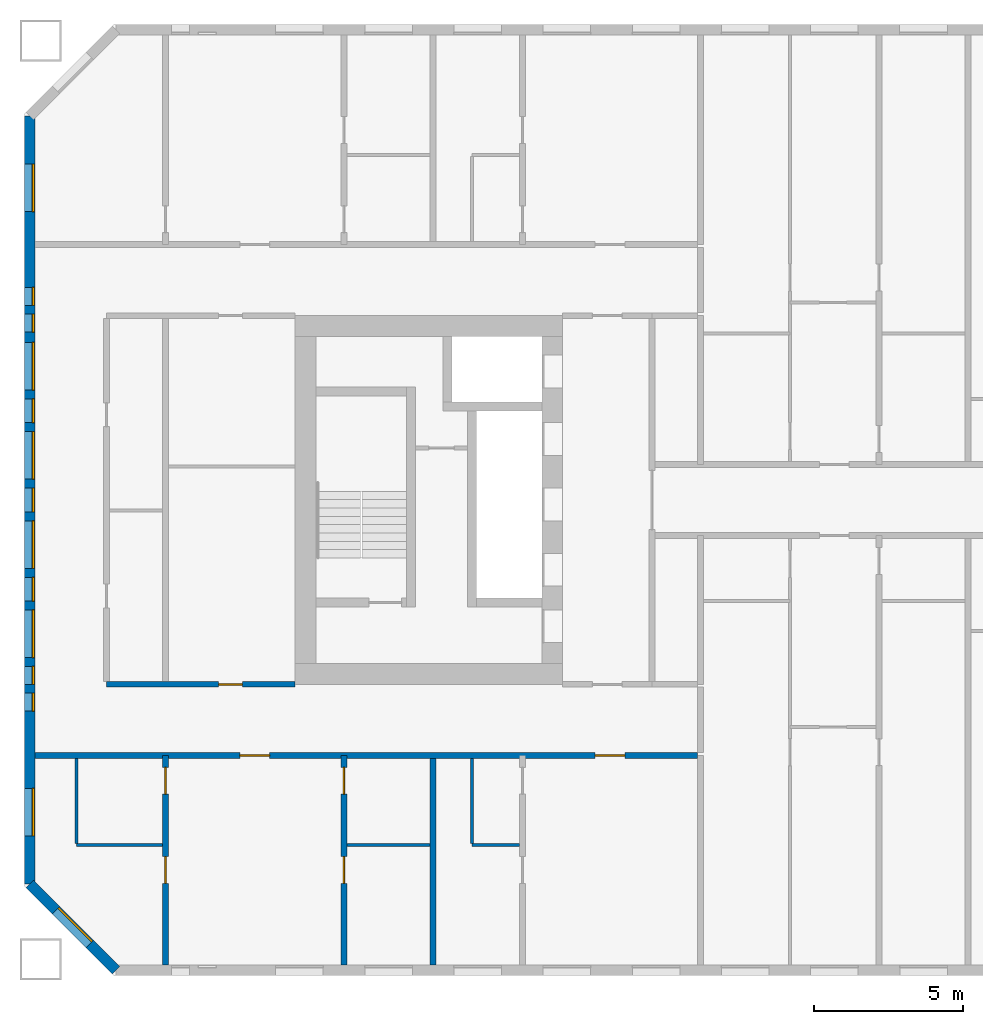
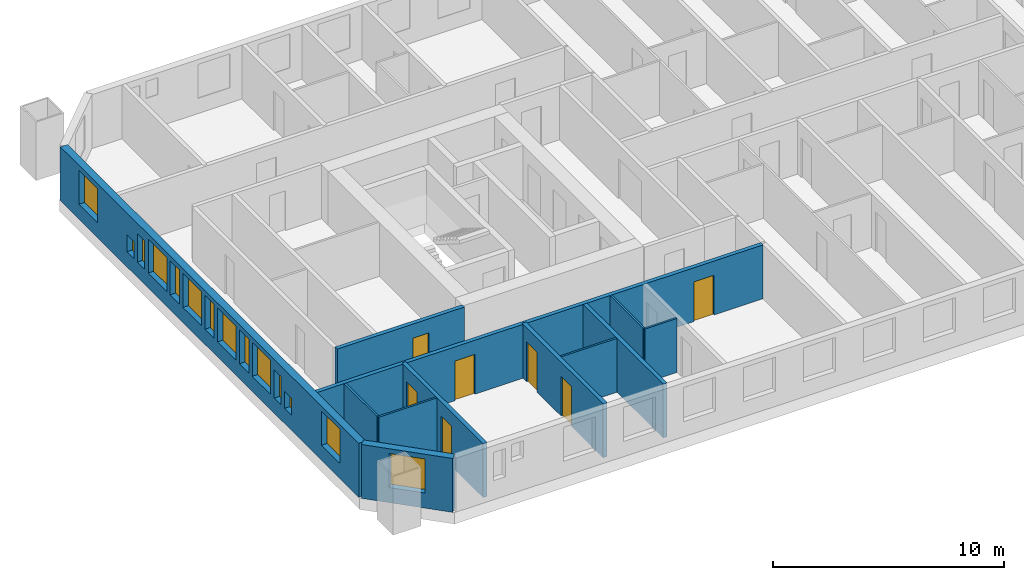
# One storey, part 2 of 17: 14 windows, 12 walls, 7 doors, 21 openings.
"""IFC4 building model written with IfcOpenShell, lengths in metres."""

from ifc_helpers import new_model, si_unit, direction, frame, frame_2d, origin, place, context, subcontext, project, spatial, rectangle, extrude, material, layer, layer_set, type_object, element, fill, save


model = new_model("IFC4")

# Units and contexts
model_context = context("Model", 3, precision=1e-05, world=origin(), true_north=direction((0.0, 1.0)))
body_context = subcontext(model_context, "Body", "Model", "MODEL_VIEW")
ifc_project = project(units=[si_unit("LENGTHUNIT", "METRE"), si_unit("AREAUNIT", "SQUARE_METRE"), si_unit("VOLUMEUNIT", "CUBIC_METRE"), si_unit("PLANEANGLEUNIT", "RADIAN"), si_unit("MASSUNIT", "GRAM", prefix="KILO")], contexts=[model_context])

# Site, building, storey
site_placement = place(None, origin())
site = spatial("IfcSite", under=ifc_project, at=site_placement, CompositionType="ELEMENT")
building_placement = place(site_placement, origin())
building = spatial("IfcBuilding", under=site, at=building_placement, Name="Tuart Gate Housing", CompositionType="ELEMENT")
storey_placement = place(building_placement, frame((0.0, 0.0, 71.60009765625)))
storey = spatial("IfcBuildingStorey", under=building, at=storey_placement, Name="L19", CompositionType="ELEMENT", Elevation=71.60009765625)

# Wall, opening, window
ifc_material_1 = material(Name="Brick", Category="masonry")
ifc_layer_1 = layer(ifc_material_1, 0.360107421875)
ifc_layer_set_1 = layer_set([ifc_layer_1], Name="Brick pier and spandrel wall 360")
wall_type_1 = type_object("IfcWallType", Name="Brick pier and spandrel wall 360", PredefinedType="STANDARD", material=ifc_layer_set_1)
wall_1_placement = place(storey_placement, frame((23.429931640625, 57.07470703125, 0.0), z_axis=(0.0, 0.0, 1.0), x_axis=(0.707106781187, -0.707106781187, 0.0)))
wall_1 = element("IfcWall", 1, at=wall_1_placement, inside=storey, type_object=wall_type_1, Name="External wall A-SW L19", PredefinedType="STANDARD", context=body_context, shape_type="SweptSolid", body=[
    extrude(rectangle(XDim=4.09375, YDim=0.360107421875, at=frame_2d((2.046875, 0.0))), origin(), (0.0, 0.0, 1.0), 2.849853515625),
])
opening_1_placement = place(wall_1_placement, frame((1.2470703125, 0.0, 0.800048828125)))
opening_1 = element("IfcOpeningElement", 2, at=opening_1_placement, cuts=wall_1, Name="Opening W1", PredefinedType="OPENING", context=body_context, shape_type="SweptSolid", body=[
    extrude(rectangle(XDim=1.60009765625, YDim=1.800048828125, at=frame_2d((0.800048828125, 0.89990234375))), frame((0.0, 0.18994140625, 0.0), z_axis=(0.0, -1.0, 0.0), x_axis=(1.0, 0.0, 0.0)), (0.0, 0.0, 1.0), 0.380126953125),
])
ifc_material_2 = material(Name="Aluminium frame with clear glass", Category="aluminium")
window_type_1 = type_object("IfcWindowType", Name="Punched window 1600 x 1800", PartitioningType="SINGLE_PANEL", PredefinedType="WINDOW", material=ifc_material_2)
window_1_placement = place(opening_1_placement, origin())
window_1 = element("IfcWindow", 3, at=window_1_placement, inside=storey, type_object=window_type_1, Name="Window W1", OverallHeight=1.800048828125, OverallWidth=1.60009765625, PartitioningType="SINGLE_PANEL", PredefinedType="WINDOW", context=body_context, shape_type="SweptSolid", body=[
    extrude(rectangle(XDim=1.60009765625, YDim=1.800048828125, at=frame_2d((0.800048828125, 0.89990234375))), frame((0.0, 0.150146484375, 0.0), z_axis=(0.0, -1.0, 0.0), x_axis=(1.0, 0.0, 0.0)), (0.0, 0.0, 1.0), 0.06005859375),
])
fill(opening_1, window_1)

# Wall, openings, windows
wall_2_placement = place(storey_placement, frame((23.429931640625, 82.92529296875, 0.0), z_axis=(0.0, 0.0, 1.0), x_axis=(0.0, -1.0, 0.0)))
wall_2 = element("IfcWall", 4, at=wall_2_placement, inside=storey, type_object=wall_type_1, Name="External wall A-W L19", PredefinedType="STANDARD", context=body_context, shape_type="SweptSolid", body=[
    extrude(rectangle(XDim=25.850830078125, YDim=0.360107421875, at=frame_2d((12.92529296875, 0.0))), origin(), (0.0, 0.0, 1.0), 2.849853515625),
])
opening_2_placement = place(wall_2_placement, frame((1.62548828125, 0.0, 0.800048828125)))
opening_2 = element("IfcOpeningElement", 5, at=opening_2_placement, cuts=wall_2, Name="Opening W1", PredefinedType="OPENING", context=body_context, shape_type="SweptSolid", body=[
    extrude(rectangle(XDim=1.60009765625, YDim=1.800048828125, at=frame_2d((0.800048828125, 0.89990234375))), frame((0.0, 0.18994140625, 0.0), z_axis=(0.0, -1.0, 0.0), x_axis=(1.0, 0.0, 0.0)), (0.0, 0.0, 1.0), 0.380126953125),
])
opening_3_placement = place(wall_2_placement, frame((5.775390625, 0.0, 0.800048828125)))
opening_3 = element("IfcOpeningElement", 6, at=opening_3_placement, cuts=wall_2, Name="Opening W1W", PredefinedType="OPENING", context=body_context, shape_type="SweptSolid", body=[
    extrude(rectangle(XDim=0.60009765625, YDim=0.89990234375, at=frame_2d((0.300048828125, 0.449951171875))), frame((0.0, 0.18994140625, 0.0), z_axis=(0.0, -1.0, 0.0), x_axis=(1.0, 0.0, 0.0)), (0.0, 0.0, 1.0), 0.380126953125),
])
opening_4_placement = place(wall_2_placement, frame((7.62548828125, 0.0, 0.800048828125)))
opening_4 = element("IfcOpeningElement", 7, at=opening_4_placement, cuts=wall_2, Name="Opening W1", PredefinedType="OPENING", context=body_context, shape_type="SweptSolid", body=[
    extrude(rectangle(XDim=1.60009765625, YDim=1.800048828125, at=frame_2d((0.800048828125, 0.89990234375))), frame((0.0, 0.18994140625, 0.0), z_axis=(0.0, -1.0, 0.0), x_axis=(1.0, 0.0, 0.0)), (0.0, 0.0, 1.0), 0.380126953125),
])
opening_5_placement = place(wall_2_placement, frame((10.62548828125, 0.0, 0.800048828125)))
opening_5 = element("IfcOpeningElement", 8, at=opening_5_placement, cuts=wall_2, Name="Opening W1", PredefinedType="OPENING", context=body_context, shape_type="SweptSolid", body=[
    extrude(rectangle(XDim=1.60009765625, YDim=1.800048828125, at=frame_2d((0.800048828125, 0.89990234375))), frame((0.0, 0.18994140625, 0.0), z_axis=(0.0, -1.0, 0.0), x_axis=(1.0, 0.0, 0.0)), (0.0, 0.0, 1.0), 0.380126953125),
])
opening_6_placement = place(wall_2_placement, frame((13.62548828125, 0.0, 0.800048828125)))
opening_6 = element("IfcOpeningElement", 9, at=opening_6_placement, cuts=wall_2, Name="Opening W1", PredefinedType="OPENING", context=body_context, shape_type="SweptSolid", body=[
    extrude(rectangle(XDim=1.60009765625, YDim=1.800048828125, at=frame_2d((0.800048828125, 0.89990234375))), frame((0.0, 0.18994140625, 0.0), z_axis=(0.0, -1.0, 0.0), x_axis=(1.0, 0.0, 0.0)), (0.0, 0.0, 1.0), 0.380126953125),
])
opening_7_placement = place(wall_2_placement, frame((16.62548828125, 0.0, 0.800048828125)))
opening_7 = element("IfcOpeningElement", 10, at=opening_7_placement, cuts=wall_2, Name="Opening W1", PredefinedType="OPENING", context=body_context, shape_type="SweptSolid", body=[
    extrude(rectangle(XDim=1.60009765625, YDim=1.800048828125, at=frame_2d((0.800048828125, 0.89990234375))), frame((0.0, 0.18994140625, 0.0), z_axis=(0.0, -1.0, 0.0), x_axis=(1.0, 0.0, 0.0)), (0.0, 0.0, 1.0), 0.380126953125),
])
opening_8_placement = place(wall_2_placement, frame((6.67529296875, 0.0, 0.800048828125)))
opening_8 = element("IfcOpeningElement", 11, at=opening_8_placement, cuts=wall_2, Name="Opening W1K", PredefinedType="OPENING", context=body_context, shape_type="SweptSolid", body=[
    extrude(rectangle(XDim=0.60009765625, YDim=1.5, at=frame_2d((0.300048828125, 0.75))), frame((0.0, 0.18994140625, 0.0), z_axis=(0.0, -1.0, 0.0), x_axis=(1.0, 0.0, 0.0)), (0.0, 0.0, 1.0), 0.380126953125),
])
opening_9_placement = place(wall_2_placement, frame((22.62548828125, 0.0, 0.800048828125)))
opening_9 = element("IfcOpeningElement", 12, at=opening_9_placement, cuts=wall_2, Name="Opening W1", PredefinedType="OPENING", context=body_context, shape_type="SweptSolid", body=[
    extrude(rectangle(XDim=1.60009765625, YDim=1.800048828125, at=frame_2d((0.800048828125, 0.89990234375))), frame((0.0, 0.18994140625, 0.0), z_axis=(0.0, -1.0, 0.0), x_axis=(1.0, 0.0, 0.0)), (0.0, 0.0, 1.0), 0.380126953125),
])
opening_10_placement = place(wall_2_placement, frame((9.525390625, 0.0, 0.800048828125)))
opening_10 = element("IfcOpeningElement", 13, at=opening_10_placement, cuts=wall_2, Name="Opening W1D", PredefinedType="OPENING", context=body_context, shape_type="SweptSolid", body=[
    extrude(rectangle(XDim=0.800048828125, YDim=1.800048828125, at=frame_2d((0.39990234375, 0.89990234375))), frame((0.0, 0.18994140625, 0.0), z_axis=(0.0, -1.0, 0.0), x_axis=(1.0, 0.0, 0.0)), (0.0, 0.0, 1.0), 0.380126953125),
])
opening_11_placement = place(wall_2_placement, frame((12.525390625, 0.0, 0.800048828125)))
opening_11 = element("IfcOpeningElement", 14, at=opening_11_placement, cuts=wall_2, Name="Opening W1D", PredefinedType="OPENING", context=body_context, shape_type="SweptSolid", body=[
    extrude(rectangle(XDim=0.800048828125, YDim=1.800048828125, at=frame_2d((0.39990234375, 0.89990234375))), frame((0.0, 0.18994140625, 0.0), z_axis=(0.0, -1.0, 0.0), x_axis=(1.0, 0.0, 0.0)), (0.0, 0.0, 1.0), 0.380126953125),
])
opening_12_placement = place(wall_2_placement, frame((15.525390625, 0.0, 0.800048828125)))
opening_12 = element("IfcOpeningElement", 15, at=opening_12_placement, cuts=wall_2, Name="Opening W1D", PredefinedType="OPENING", context=body_context, shape_type="SweptSolid", body=[
    extrude(rectangle(XDim=0.800048828125, YDim=1.800048828125, at=frame_2d((0.39990234375, 0.89990234375))), frame((0.0, 0.18994140625, 0.0), z_axis=(0.0, -1.0, 0.0), x_axis=(1.0, 0.0, 0.0)), (0.0, 0.0, 1.0), 0.380126953125),
])
opening_13_placement = place(wall_2_placement, frame((18.525390625, 0.0, 0.800048828125)))
opening_13 = element("IfcOpeningElement", 16, at=opening_13_placement, cuts=wall_2, Name="Opening W1K", PredefinedType="OPENING", context=body_context, shape_type="SweptSolid", body=[
    extrude(rectangle(XDim=0.60009765625, YDim=1.5, at=frame_2d((0.300048828125, 0.75))), frame((0.0, 0.18994140625, 0.0), z_axis=(0.0, -1.0, 0.0), x_axis=(1.0, 0.0, 0.0)), (0.0, 0.0, 1.0), 0.380126953125),
])
opening_14_placement = place(wall_2_placement, frame((19.42529296875, 0.0, 0.800048828125)))
opening_14 = element("IfcOpeningElement", 17, at=opening_14_placement, cuts=wall_2, Name="Opening W1W", PredefinedType="OPENING", context=body_context, shape_type="SweptSolid", body=[
    extrude(rectangle(XDim=0.60009765625, YDim=0.89990234375, at=frame_2d((0.300048828125, 0.449951171875))), frame((0.0, 0.18994140625, 0.0), z_axis=(0.0, -1.0, 0.0), x_axis=(1.0, 0.0, 0.0)), (0.0, 0.0, 1.0), 0.380126953125),
])
window_2_placement = place(opening_2_placement, origin())
window_2 = element("IfcWindow", 18, at=window_2_placement, inside=storey, type_object=window_type_1, Name="Window W1", OverallHeight=1.800048828125, OverallWidth=1.60009765625, PartitioningType="SINGLE_PANEL", PredefinedType="WINDOW", context=body_context, shape_type="SweptSolid", body=[
    extrude(rectangle(XDim=1.60009765625, YDim=1.800048828125, at=frame_2d((0.800048828125, 0.89990234375))), frame((0.0, 0.150146484375, 0.0), z_axis=(0.0, -1.0, 0.0), x_axis=(1.0, 0.0, 0.0)), (0.0, 0.0, 1.0), 0.06005859375),
])
fill(opening_2, window_2)
window_3_placement = place(opening_4_placement, origin())
window_3 = element("IfcWindow", 19, at=window_3_placement, inside=storey, type_object=window_type_1, Name="Window W1", OverallHeight=1.800048828125, OverallWidth=1.60009765625, PartitioningType="SINGLE_PANEL", PredefinedType="WINDOW", context=body_context, shape_type="SweptSolid", body=[
    extrude(rectangle(XDim=1.60009765625, YDim=1.800048828125, at=frame_2d((0.800048828125, 0.89990234375))), frame((0.0, 0.150146484375, 0.0), z_axis=(0.0, -1.0, 0.0), x_axis=(1.0, 0.0, 0.0)), (0.0, 0.0, 1.0), 0.06005859375),
])
fill(opening_4, window_3)
window_4_placement = place(opening_5_placement, origin())
window_4 = element("IfcWindow", 20, at=window_4_placement, inside=storey, type_object=window_type_1, Name="Window W1", OverallHeight=1.800048828125, OverallWidth=1.60009765625, PartitioningType="SINGLE_PANEL", PredefinedType="WINDOW", context=body_context, shape_type="SweptSolid", body=[
    extrude(rectangle(XDim=1.60009765625, YDim=1.800048828125, at=frame_2d((0.800048828125, 0.89990234375))), frame((0.0, 0.150146484375, 0.0), z_axis=(0.0, -1.0, 0.0), x_axis=(1.0, 0.0, 0.0)), (0.0, 0.0, 1.0), 0.06005859375),
])
fill(opening_5, window_4)
window_5_placement = place(opening_6_placement, origin())
window_5 = element("IfcWindow", 21, at=window_5_placement, inside=storey, type_object=window_type_1, Name="Window W1", OverallHeight=1.800048828125, OverallWidth=1.60009765625, PartitioningType="SINGLE_PANEL", PredefinedType="WINDOW", context=body_context, shape_type="SweptSolid", body=[
    extrude(rectangle(XDim=1.60009765625, YDim=1.800048828125, at=frame_2d((0.800048828125, 0.89990234375))), frame((0.0, 0.150146484375, 0.0), z_axis=(0.0, -1.0, 0.0), x_axis=(1.0, 0.0, 0.0)), (0.0, 0.0, 1.0), 0.06005859375),
])
fill(opening_6, window_5)
window_6_placement = place(opening_7_placement, origin())
window_6 = element("IfcWindow", 22, at=window_6_placement, inside=storey, type_object=window_type_1, Name="Window W1", OverallHeight=1.800048828125, OverallWidth=1.60009765625, PartitioningType="SINGLE_PANEL", PredefinedType="WINDOW", context=body_context, shape_type="SweptSolid", body=[
    extrude(rectangle(XDim=1.60009765625, YDim=1.800048828125, at=frame_2d((0.800048828125, 0.89990234375))), frame((0.0, 0.150146484375, 0.0), z_axis=(0.0, -1.0, 0.0), x_axis=(1.0, 0.0, 0.0)), (0.0, 0.0, 1.0), 0.06005859375),
])
fill(opening_7, window_6)
window_7_placement = place(opening_9_placement, origin())
window_7 = element("IfcWindow", 23, at=window_7_placement, inside=storey, type_object=window_type_1, Name="Window W1", OverallHeight=1.800048828125, OverallWidth=1.60009765625, PartitioningType="SINGLE_PANEL", PredefinedType="WINDOW", context=body_context, shape_type="SweptSolid", body=[
    extrude(rectangle(XDim=1.60009765625, YDim=1.800048828125, at=frame_2d((0.800048828125, 0.89990234375))), frame((0.0, 0.150146484375, 0.0), z_axis=(0.0, -1.0, 0.0), x_axis=(1.0, 0.0, 0.0)), (0.0, 0.0, 1.0), 0.06005859375),
])
fill(opening_9, window_7)
ifc_material_3 = material(Name="Aluminium frame with clear glass", Category="aluminium")
window_type_2 = type_object("IfcWindowType", Name="Punched window 600 x 1500", PartitioningType="SINGLE_PANEL", PredefinedType="WINDOW", material=ifc_material_3)
window_8_placement = place(opening_8_placement, origin())
window_8 = element("IfcWindow", 24, at=window_8_placement, inside=storey, type_object=window_type_2, Name="Window W1K", OverallHeight=1.5, OverallWidth=0.60009765625, PartitioningType="SINGLE_PANEL", PredefinedType="WINDOW", context=body_context, shape_type="SweptSolid", body=[
    extrude(rectangle(XDim=0.60009765625, YDim=1.5, at=frame_2d((0.300048828125, 0.75))), frame((0.0, 0.150146484375, 0.0), z_axis=(0.0, -1.0, 0.0), x_axis=(1.0, 0.0, 0.0)), (0.0, 0.0, 1.0), 0.06005859375),
])
fill(opening_8, window_8)
window_9_placement = place(opening_13_placement, origin())
window_9 = element("IfcWindow", 25, at=window_9_placement, inside=storey, type_object=window_type_2, Name="Window W1K", OverallHeight=1.5, OverallWidth=0.60009765625, PartitioningType="SINGLE_PANEL", PredefinedType="WINDOW", context=body_context, shape_type="SweptSolid", body=[
    extrude(rectangle(XDim=0.60009765625, YDim=1.5, at=frame_2d((0.300048828125, 0.75))), frame((0.0, 0.150146484375, 0.0), z_axis=(0.0, -1.0, 0.0), x_axis=(1.0, 0.0, 0.0)), (0.0, 0.0, 1.0), 0.06005859375),
])
fill(opening_13, window_9)
ifc_material_4 = material(Name="Aluminium frame with clear glass", Category="aluminium")
window_type_3 = type_object("IfcWindowType", Name="Punched window 600 x 900", PartitioningType="SINGLE_PANEL", PredefinedType="WINDOW", material=ifc_material_4)
window_10_placement = place(opening_3_placement, origin())
window_10 = element("IfcWindow", 26, at=window_10_placement, inside=storey, type_object=window_type_3, Name="Window W1W", OverallHeight=0.89990234375, OverallWidth=0.60009765625, PartitioningType="SINGLE_PANEL", PredefinedType="WINDOW", context=body_context, shape_type="SweptSolid", body=[
    extrude(rectangle(XDim=0.60009765625, YDim=0.89990234375, at=frame_2d((0.300048828125, 0.449951171875))), frame((0.0, 0.150146484375, 0.0), z_axis=(0.0, -1.0, 0.0), x_axis=(1.0, 0.0, 0.0)), (0.0, 0.0, 1.0), 0.06005859375),
])
fill(opening_3, window_10)
window_11_placement = place(opening_14_placement, origin())
window_11 = element("IfcWindow", 27, at=window_11_placement, inside=storey, type_object=window_type_3, Name="Window W1W", OverallHeight=0.89990234375, OverallWidth=0.60009765625, PartitioningType="SINGLE_PANEL", PredefinedType="WINDOW", context=body_context, shape_type="SweptSolid", body=[
    extrude(rectangle(XDim=0.60009765625, YDim=0.89990234375, at=frame_2d((0.300048828125, 0.449951171875))), frame((0.0, 0.150146484375, 0.0), z_axis=(0.0, -1.0, 0.0), x_axis=(1.0, 0.0, 0.0)), (0.0, 0.0, 1.0), 0.06005859375),
])
fill(opening_14, window_11)
ifc_material_5 = material(Name="Aluminium frame with clear glass", Category="aluminium")
window_type_4 = type_object("IfcWindowType", Name="Punched window 800 x 1800", PartitioningType="SINGLE_PANEL", PredefinedType="WINDOW", material=ifc_material_5)
window_12_placement = place(opening_10_placement, origin())
window_12 = element("IfcWindow", 28, at=window_12_placement, inside=storey, type_object=window_type_4, Name="Window W1D", OverallHeight=1.800048828125, OverallWidth=0.800048828125, PartitioningType="SINGLE_PANEL", PredefinedType="WINDOW", context=body_context, shape_type="SweptSolid", body=[
    extrude(rectangle(XDim=0.800048828125, YDim=1.800048828125, at=frame_2d((0.39990234375, 0.89990234375))), frame((0.0, 0.150146484375, 0.0), z_axis=(0.0, -1.0, 0.0), x_axis=(1.0, 0.0, 0.0)), (0.0, 0.0, 1.0), 0.06005859375),
])
fill(opening_10, window_12)
window_13_placement = place(opening_11_placement, origin())
window_13 = element("IfcWindow", 29, at=window_13_placement, inside=storey, type_object=window_type_4, Name="Window W1D", OverallHeight=1.800048828125, OverallWidth=0.800048828125, PartitioningType="SINGLE_PANEL", PredefinedType="WINDOW", context=body_context, shape_type="SweptSolid", body=[
    extrude(rectangle(XDim=0.800048828125, YDim=1.800048828125, at=frame_2d((0.39990234375, 0.89990234375))), frame((0.0, 0.150146484375, 0.0), z_axis=(0.0, -1.0, 0.0), x_axis=(1.0, 0.0, 0.0)), (0.0, 0.0, 1.0), 0.06005859375),
])
fill(opening_11, window_13)
window_14_placement = place(opening_12_placement, origin())
window_14 = element("IfcWindow", 30, at=window_14_placement, inside=storey, type_object=window_type_4, Name="Window W1D", OverallHeight=1.800048828125, OverallWidth=0.800048828125, PartitioningType="SINGLE_PANEL", PredefinedType="WINDOW", context=body_context, shape_type="SweptSolid", body=[
    extrude(rectangle(XDim=0.800048828125, YDim=1.800048828125, at=frame_2d((0.39990234375, 0.89990234375))), frame((0.0, 0.150146484375, 0.0), z_axis=(0.0, -1.0, 0.0), x_axis=(1.0, 0.0, 0.0)), (0.0, 0.0, 1.0), 0.06005859375),
])
fill(opening_12, window_14)

# Wall, openings, doors
ifc_material_6 = material(Name="Concrete masonry 15 MPa", Category="masonry")
ifc_layer_2 = layer(ifc_material_6, 0.199951171875)
ifc_layer_set_2 = layer_set([ifc_layer_2], Name="Corridor wall masonry 200")
wall_type_2 = type_object("IfcWallType", Name="Corridor wall masonry 200", PredefinedType="PARTITIONING", material=ifc_layer_set_2)
wall_3_placement = place(storey_placement, frame((23.610107421875, 61.39990234375, 0.0), z_axis=(0.0, 0.0, 1.0), x_axis=(1.0, 0.0, 0.0)))
wall_3 = element("IfcWall", 31, at=wall_3_placement, inside=storey, type_object=wall_type_2, Name="Corridor wall masonry 200", PredefinedType="PARTITIONING", context=body_context, shape_type="SweptSolid", body=[
    extrude(rectangle(XDim=22.289794921875, YDim=0.199951171875, at=frame_2d((11.14501953125, 0.0))), origin(), (0.0, 0.0, 1.0), 2.849853515625),
])
opening_15_placement = place(wall_3_placement, frame((18.840087890625, 0.0, 0.0)))
opening_15 = element("IfcOpeningElement", 32, at=opening_15_placement, cuts=wall_3, Name="Opening D885", PredefinedType="OPENING", context=body_context, shape_type="SweptSolid", body=[
    extrude(rectangle(XDim=1.0, YDim=2.10009765625, at=frame_2d((0.5, 1.050048828125))), frame((0.0, 0.10986328125, 0.0), z_axis=(0.0, -1.0, 0.0), x_axis=(1.0, 0.0, 0.0)), (0.0, 0.0, 1.0), 0.219970703125),
])
opening_16_placement = place(wall_3_placement, frame((6.889892578125, 0.0, 0.0)))
opening_16 = element("IfcOpeningElement", 33, at=opening_16_placement, cuts=wall_3, Name="Opening D886", PredefinedType="OPENING", context=body_context, shape_type="SweptSolid", body=[
    extrude(rectangle(XDim=1.0, YDim=2.10009765625, at=frame_2d((0.5, 1.050048828125))), frame((0.0, 0.10986328125, 0.0), z_axis=(0.0, -1.0, 0.0), x_axis=(1.0, 0.0, 0.0)), (0.0, 0.0, 1.0), 0.219970703125),
])
ifc_material_7 = material(Name="Timber door leaf in steel frame", Category="steel")
door_type_1 = type_object("IfcDoorType", Name="Flat entrance door 1000 RH", OperationType="SINGLE_SWING_RIGHT", PredefinedType="DOOR", material=ifc_material_7)
door_1_placement = place(opening_15_placement, frame((1.0, 0.0, 0.0), z_axis=(0.0, 0.0, 1.0), x_axis=(-1.0, 0.0, 0.0)))
door_1 = element("IfcDoor", 34, at=door_1_placement, inside=storey, type_object=door_type_1, Name="Flat entrance door", OperationType="SINGLE_SWING_RIGHT", OverallHeight=2.10009765625, OverallWidth=1.0, PredefinedType="DOOR", context=body_context, shape_type="SweptSolid", body=[
    extrude(rectangle(XDim=1.0, YDim=2.10009765625, at=frame_2d((0.5, 1.050048828125))), frame((0.0, 0.025146484375, 0.0), z_axis=(0.0, -1.0, 0.0), x_axis=(1.0, 0.0, 0.0)), (0.0, 0.0, 1.0), 0.050048828125),
])
fill(opening_15, door_1)
door_2_placement = place(opening_16_placement, frame((1.0, 0.0, 0.0), z_axis=(0.0, 0.0, 1.0), x_axis=(-1.0, 0.0, 0.0)))
door_2 = element("IfcDoor", 35, at=door_2_placement, inside=storey, type_object=door_type_1, Name="Flat entrance door", OperationType="SINGLE_SWING_RIGHT", OverallHeight=2.10009765625, OverallWidth=1.0, PredefinedType="DOOR", context=body_context, shape_type="SweptSolid", body=[
    extrude(rectangle(XDim=1.0, YDim=2.10009765625, at=frame_2d((0.5, 1.050048828125))), frame((0.0, 0.025146484375, 0.0), z_axis=(0.0, -1.0, 0.0), x_axis=(1.0, 0.0, 0.0)), (0.0, 0.0, 1.0), 0.050048828125),
])
fill(opening_16, door_2)

# Wall, opening, door
wall_4_placement = place(storey_placement, frame((26.010009765625, 63.800048828125, 0.0), z_axis=(0.0, 0.0, 1.0), x_axis=(1.0, 0.0, 0.0)))
wall_4 = element("IfcWall", 36, at=wall_4_placement, inside=storey, type_object=wall_type_2, Name="Corridor wall masonry 200", PredefinedType="PARTITIONING", context=body_context, shape_type="SweptSolid", body=[
    extrude(rectangle(XDim=6.35009765625, YDim=0.199951171875, at=frame_2d((3.175048828125, 0.0))), origin(), (0.0, 0.0, 1.0), 2.849853515625),
])
opening_17_placement = place(wall_4_placement, frame((3.77001953125, 0.0, 0.0)))
opening_17 = element("IfcOpeningElement", 37, at=opening_17_placement, cuts=wall_4, Name="Opening D872", PredefinedType="OPENING", context=body_context, shape_type="SweptSolid", body=[
    extrude(rectangle(XDim=0.800048828125, YDim=2.10009765625, at=frame_2d((0.39990234375, 1.050048828125))), frame((0.0, 0.10986328125, 0.0), z_axis=(0.0, -1.0, 0.0), x_axis=(1.0, 0.0, 0.0)), (0.0, 0.0, 1.0), 0.219970703125),
])
ifc_material_8 = material(Name="Timber door leaf in steel frame", Category="steel")
door_type_2 = type_object("IfcDoorType", Name="Store door 800", OperationType="SINGLE_SWING_LEFT", PredefinedType="DOOR", material=ifc_material_8)
door_3_placement = place(opening_17_placement, origin())
door_3 = element("IfcDoor", 38, at=door_3_placement, inside=storey, type_object=door_type_2, Name="Store door", OperationType="SINGLE_SWING_LEFT", OverallHeight=2.10009765625, OverallWidth=0.800048828125, PredefinedType="DOOR", context=body_context, shape_type="SweptSolid", body=[
    extrude(rectangle(XDim=0.800048828125, YDim=2.10009765625, at=frame_2d((0.39990234375, 1.050048828125))), frame((0.0, 0.02490234375, 0.0), z_axis=(0.0, -1.0, 0.0), x_axis=(1.0, 0.0, 0.0)), (0.0, 0.0, 1.0), 0.050048828125),
])
fill(opening_17, door_3)

# Walls
ifc_material_9 = material(Name="Gypsum board on steel studs", Category="steel")
ifc_layer_3 = layer(ifc_material_9, 0.10009765625)
ifc_layer_set_3 = layer_set([ifc_layer_3], Name="Partition 100")
wall_type_3 = type_object("IfcWallType", Name="Partition 100", PredefinedType="PARTITIONING", material=ifc_layer_set_3)
wall_5_placement = place(storey_placement, frame((25.0, 58.39990234375, 0.0), z_axis=(0.0, 0.0, 1.0), x_axis=(1.0, 0.0, 0.0)))
element("IfcWall", 39, at=wall_5_placement, inside=storey, type_object=wall_type_3, Name="Partition 100", PredefinedType="PARTITIONING", context=body_context, shape_type="SweptSolid", body=[
    extrude(rectangle(XDim=2.89990234375, YDim=0.10009765625, at=frame_2d((1.449951171875, 0.0))), origin(), (0.0, 0.0, 1.0), 2.849853515625),
])
wall_6_placement = place(storey_placement, frame((34.10009765625, 58.39990234375, 0.0), z_axis=(0.0, 0.0, 1.0), x_axis=(1.0, 0.0, 0.0)))
element("IfcWall", 40, at=wall_6_placement, inside=storey, type_object=wall_type_3, Name="Partition 100", PredefinedType="PARTITIONING", context=body_context, shape_type="SweptSolid", body=[
    extrude(rectangle(XDim=2.7998046875, YDim=0.10009765625, at=frame_2d((1.39990234375, 0.0))), origin(), (0.0, 0.0, 1.0), 2.849853515625),
])
wall_7_placement = place(storey_placement, frame((38.300048828125, 58.39990234375, 0.0), z_axis=(0.0, 0.0, 1.0), x_axis=(1.0, 0.0, 0.0)))
element("IfcWall", 41, at=wall_7_placement, inside=storey, type_object=wall_type_3, Name="Partition 100", PredefinedType="PARTITIONING", context=body_context, shape_type="SweptSolid", body=[
    extrude(rectangle(XDim=1.599853515625, YDim=0.10009765625, at=frame_2d((0.7998046875, 0.0))), origin(), (0.0, 0.0, 1.0), 2.849853515625),
])
for number, where, z_axis, x_axis, name in (
    (42, (25.0, 58.449951171875, 0.0), (0.0, 0.0, 1.0), (0.0, 1.0, 0.0), "Partition 100"),
    (43, (38.300048828125, 58.449951171875, 0.0), (0.0, 0.0, 1.0), (0.0, 1.0, 0.0), "Partition 100"),
):
    element("IfcWall", number, at=place(storey_placement, frame(where, z_axis=z_axis, x_axis=x_axis)), inside=storey, type_object=wall_type_3, Name=name, PredefinedType="PARTITIONING", context=body_context, shape_type="SweptSolid", body=[
        extrude(rectangle(XDim=2.85009765625, YDim=0.10009765625, at=frame_2d((1.425048828125, 0.0))), origin(), (0.0, 0.0, 1.0), 2.849853515625),
    ])

# Wall, openings, doors
ifc_material_10 = material(Name="Concrete C40", Category="concrete")
ifc_layer_4 = layer(ifc_material_10, 0.199951171875)
ifc_layer_set_4 = layer_set([ifc_layer_4], Name="Party wall concrete C40 200")
wall_type_4 = type_object("IfcWallType", Name="Party wall concrete C40 200", PredefinedType="SOLIDWALL", material=ifc_layer_set_4)
wall_8_placement = place(storey_placement, frame((28.0, 54.360107421875, 0.0), z_axis=(0.0, 0.0, 1.0), x_axis=(0.0, 1.0, 0.0)))
wall_8 = element("IfcWall", 44, at=wall_8_placement, inside=storey, type_object=wall_type_4, Name="Party wall concrete C40 200", PredefinedType="SOLIDWALL", context=body_context, shape_type="SweptSolid", body=[
    extrude(rectangle(XDim=7.039794921875, YDim=0.199951171875, at=frame_2d((3.52001953125, 0.0))), origin(), (0.0, 0.0, 1.0), 2.849853515625),
])
opening_18_placement = place(wall_8_placement, frame((2.739990234375, 0.0, 0.0)))
opening_18 = element("IfcOpeningElement", 45, at=opening_18_placement, cuts=wall_8, Name="Opening D892", PredefinedType="OPENING", context=body_context, shape_type="SweptSolid", body=[
    extrude(rectangle(XDim=0.89990234375, YDim=2.10009765625, at=frame_2d((0.449951171875, 1.050048828125))), frame((0.0, 0.10986328125, 0.0), z_axis=(0.0, -1.0, 0.0), x_axis=(1.0, 0.0, 0.0)), (0.0, 0.0, 1.0), 0.219970703125),
])
opening_19_placement = place(wall_8_placement, frame((5.739990234375, 0.0, 0.0)))
opening_19 = element("IfcOpeningElement", 46, at=opening_19_placement, cuts=wall_8, Name="Opening D891", PredefinedType="OPENING", context=body_context, shape_type="SweptSolid", body=[
    extrude(rectangle(XDim=0.89990234375, YDim=2.10009765625, at=frame_2d((0.449951171875, 1.050048828125))), frame((0.0, 0.10986328125, 0.0), z_axis=(0.0, -1.0, 0.0), x_axis=(1.0, 0.0, 0.0)), (0.0, 0.0, 1.0), 0.219970703125),
])
ifc_material_11 = material(Name="Timber door leaf in steel frame", Category="steel")
door_type_3 = type_object("IfcDoorType", Name="Bathroom door 900 RH", OperationType="SINGLE_SWING_RIGHT", PredefinedType="DOOR", material=ifc_material_11)
door_4_placement = place(opening_19_placement, origin())
door_4 = element("IfcDoor", 47, at=door_4_placement, inside=storey, type_object=door_type_3, Name="Bathroom door", OperationType="SINGLE_SWING_RIGHT", OverallHeight=2.10009765625, OverallWidth=0.89990234375, PredefinedType="DOOR", context=body_context, shape_type="SweptSolid", body=[
    extrude(rectangle(XDim=0.89990234375, YDim=2.10009765625, at=frame_2d((0.449951171875, 1.050048828125))), frame((0.0, 0.02490234375, 0.0), z_axis=(0.0, -1.0, 0.0), x_axis=(1.0, 0.0, 0.0)), (0.0, 0.0, 1.0), 0.050048828125),
])
fill(opening_19, door_4)
ifc_material_12 = material(Name="Timber door leaf in steel frame", Category="steel")
door_type_4 = type_object("IfcDoorType", Name="Internal door 900 RH", OperationType="SINGLE_SWING_RIGHT", PredefinedType="DOOR", material=ifc_material_12)
door_5_placement = place(opening_18_placement, origin())
door_5 = element("IfcDoor", 48, at=door_5_placement, inside=storey, type_object=door_type_4, Name="Internal door", OperationType="SINGLE_SWING_RIGHT", OverallHeight=2.10009765625, OverallWidth=0.89990234375, PredefinedType="DOOR", context=body_context, shape_type="SweptSolid", body=[
    extrude(rectangle(XDim=0.89990234375, YDim=2.10009765625, at=frame_2d((0.449951171875, 1.050048828125))), frame((0.0, 0.02490234375, 0.0), z_axis=(0.0, -1.0, 0.0), x_axis=(1.0, 0.0, 0.0)), (0.0, 0.0, 1.0), 0.050048828125),
])
fill(opening_18, door_5)

wall_9_placement = place(storey_placement, frame((34.0, 54.360107421875, 0.0), z_axis=(0.0, 0.0, 1.0), x_axis=(0.0, 1.0, 0.0)))
wall_9 = element("IfcWall", 49, at=wall_9_placement, inside=storey, type_object=wall_type_4, Name="Party wall concrete C40 200", PredefinedType="SOLIDWALL", context=body_context, shape_type="SweptSolid", body=[
    extrude(rectangle(XDim=7.039794921875, YDim=0.199951171875, at=frame_2d((3.52001953125, 0.0))), origin(), (0.0, 0.0, 1.0), 2.849853515625),
])
opening_20_placement = place(wall_9_placement, frame((2.739990234375, 0.0, 0.0)))
opening_20 = element("IfcOpeningElement", 50, at=opening_20_placement, cuts=wall_9, Name="Opening D894", PredefinedType="OPENING", context=body_context, shape_type="SweptSolid", body=[
    extrude(rectangle(XDim=0.89990234375, YDim=2.10009765625, at=frame_2d((0.449951171875, 1.050048828125))), frame((0.0, 0.10986328125, 0.0), z_axis=(0.0, -1.0, 0.0), x_axis=(1.0, 0.0, 0.0)), (0.0, 0.0, 1.0), 0.219970703125),
])
opening_21_placement = place(wall_9_placement, frame((5.739990234375, 0.0, 0.0)))
opening_21 = element("IfcOpeningElement", 51, at=opening_21_placement, cuts=wall_9, Name="Opening D893", PredefinedType="OPENING", context=body_context, shape_type="SweptSolid", body=[
    extrude(rectangle(XDim=0.89990234375, YDim=2.10009765625, at=frame_2d((0.449951171875, 1.050048828125))), frame((0.0, 0.10986328125, 0.0), z_axis=(0.0, -1.0, 0.0), x_axis=(1.0, 0.0, 0.0)), (0.0, 0.0, 1.0), 0.219970703125),
])
ifc_material_13 = material(Name="Timber door leaf in steel frame", Category="steel")
door_type_5 = type_object("IfcDoorType", Name="Bathroom door 900", OperationType="SINGLE_SWING_LEFT", PredefinedType="DOOR", material=ifc_material_13)
door_6_placement = place(opening_21_placement, frame((0.89990234375, 0.0, 0.0), z_axis=(0.0, 0.0, 1.0), x_axis=(-1.0, 0.0, 0.0)))
door_6 = element("IfcDoor", 52, at=door_6_placement, inside=storey, type_object=door_type_5, Name="Bathroom door", OperationType="SINGLE_SWING_LEFT", OverallHeight=2.10009765625, OverallWidth=0.89990234375, PredefinedType="DOOR", context=body_context, shape_type="SweptSolid", body=[
    extrude(rectangle(XDim=0.89990234375, YDim=2.10009765625, at=frame_2d((0.449951171875, 1.050048828125))), frame((0.0, 0.025146484375, 0.0), z_axis=(0.0, -1.0, 0.0), x_axis=(1.0, 0.0, 0.0)), (0.0, 0.0, 1.0), 0.050048828125),
])
fill(opening_21, door_6)
ifc_material_14 = material(Name="Timber door leaf in steel frame", Category="steel")
door_type_6 = type_object("IfcDoorType", Name="Internal door 900", OperationType="SINGLE_SWING_LEFT", PredefinedType="DOOR", material=ifc_material_14)
door_7_placement = place(opening_20_placement, frame((0.89990234375, 0.0, 0.0), z_axis=(0.0, 0.0, 1.0), x_axis=(-1.0, 0.0, 0.0)))
door_7 = element("IfcDoor", 53, at=door_7_placement, inside=storey, type_object=door_type_6, Name="Internal door", OperationType="SINGLE_SWING_LEFT", OverallHeight=2.10009765625, OverallWidth=0.89990234375, PredefinedType="DOOR", context=body_context, shape_type="SweptSolid", body=[
    extrude(rectangle(XDim=0.89990234375, YDim=2.10009765625, at=frame_2d((0.449951171875, 1.050048828125))), frame((0.0, 0.025146484375, 0.0), z_axis=(0.0, -1.0, 0.0), x_axis=(1.0, 0.0, 0.0)), (0.0, 0.0, 1.0), 0.050048828125),
])
fill(opening_20, door_7)

# Wall
ifc_material_15 = material(Name="Concrete masonry 15 MPa", Category="masonry")
ifc_layer_5 = layer(ifc_material_15, 0.199951171875)
ifc_layer_set_5 = layer_set([ifc_layer_5], Name="Party wall masonry 200")
wall_type_5 = type_object("IfcWallType", Name="Party wall masonry 200", PredefinedType="PARTITIONING", material=ifc_layer_set_5)
wall_10_placement = place(storey_placement, frame((37.0, 54.360107421875, 0.0), z_axis=(0.0, 0.0, 1.0), x_axis=(0.0, 1.0, 0.0)))
element("IfcWall", 54, at=wall_10_placement, inside=storey, type_object=wall_type_5, Name="Party wall masonry 200", PredefinedType="PARTITIONING", context=body_context, shape_type="SweptSolid", body=[
    extrude(rectangle(XDim=6.93994140625, YDim=0.199951171875, at=frame_2d((3.469970703125, 0.0))), origin(), (0.0, 0.0, 1.0), 2.849853515625),
])

save(model, "model.ifc")
